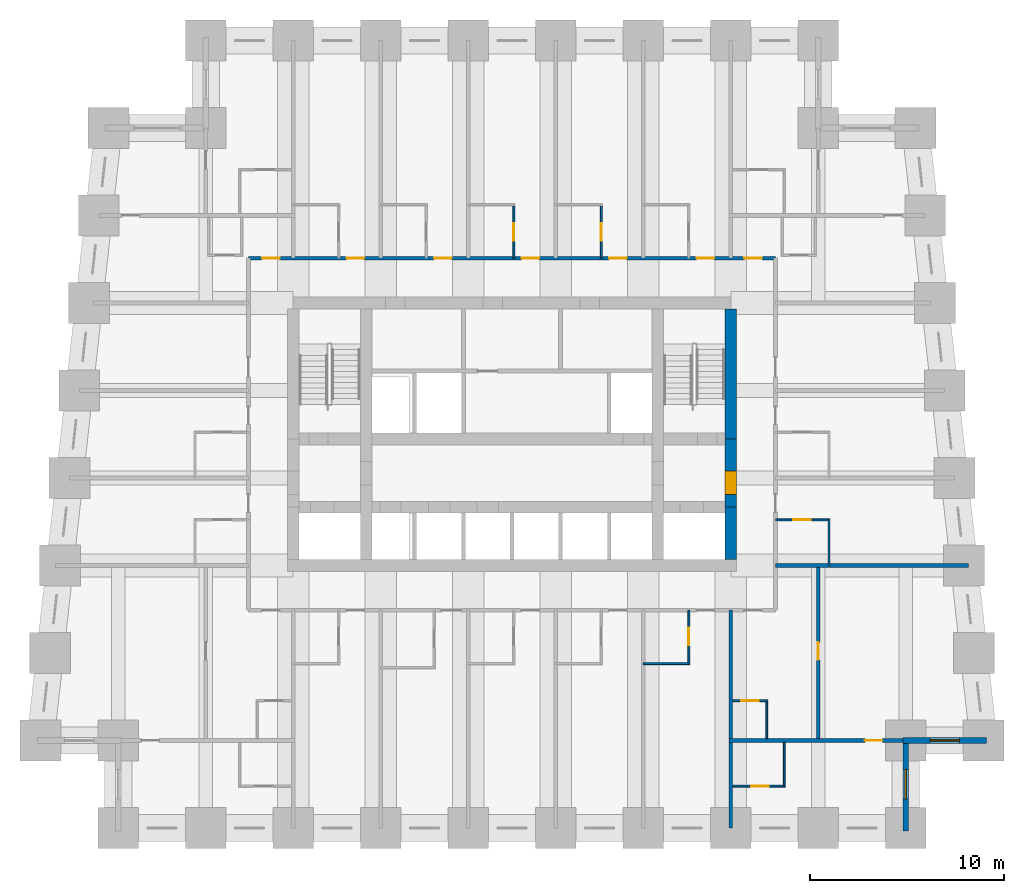
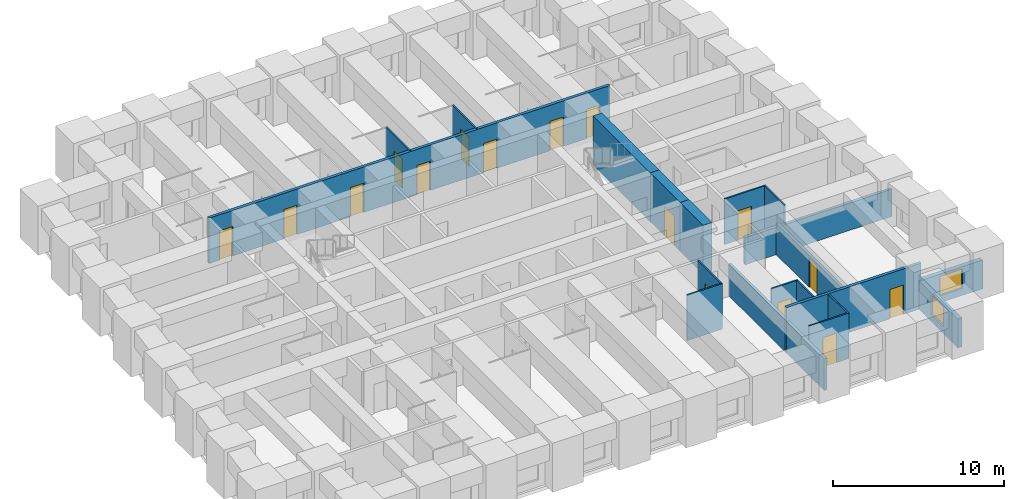
# One storey, part 5 of 8: 20 walls, 16 doors, 2 windows, 18 openings.
"""IFC4 building model written with IfcOpenShell, lengths in metres."""

import ifcopenshell
import ifcopenshell.guid

model = None  # the IFC model being written
_history = None  # IfcOwnerHistory: only IFC2X3 demands one
_inside = {}  # id of a spatial element -> (the spatial element, [elements in it])
_under = {}  # id of a project, library or spatial element -> (it, [spatial elements below it])
_declared = {}  # id of a project -> (the project, [libraries it declares])
_typed = {}  # id of a type object -> (the type object, [elements of that type])
_made_of = {}  # id of a material, layer set ... -> (it, [elements and type objects made of it])


def new_model(schema):
    """Start an empty IFC model of exactly this schema.

    Asked for "IFC4X3", IfcOpenShell would pick the latest addendum, in which some entities
    have other attributes; the version numbers below select the first issue.
    IFC2X3 requires an IfcOwnerHistory on every rooted entity: one is made here for all.
    """
    global model, _history
    if schema == "IFC4X3":
        model = ifcopenshell.file(schema_version=(4, 3, 0, 0))
    else:
        model = ifcopenshell.file(schema=schema)
    _inside.clear()
    _under.clear()
    _declared.clear()
    _typed.clear()
    _made_of.clear()
    _history = None
    if model.schema == "IFC2X3":
        org = make("IfcOrganization", Name="unknown")
        user = make(
            "IfcPersonAndOrganization",
            ThePerson=make("IfcPerson", FamilyName="unknown"),
            TheOrganization=org,
        )
        app = make(
            "IfcApplication",
            ApplicationDeveloper=org,
            Version="unknown",
            ApplicationFullName="unknown",
            ApplicationIdentifier="unknown",
        )
        _history = make(
            "IfcOwnerHistory",
            OwningUser=user,
            OwningApplication=app,
            ChangeAction="ADDED",
            CreationDate=0,
        )
    return model


def make(cls, **values):
    """One entity of the class cls with the attributes given. An attribute that is None is left unset."""
    return model.create_entity(
        cls, **{name: value for name, value in values.items() if value is not None}
    )


def rooted(cls, **values):
    """An entity with a GlobalId (a new one), such as an element, a storey or a relation."""
    return make(cls, GlobalId=ifcopenshell.guid.new(), OwnerHistory=_history, **values)


def si_unit(unit_type, name, prefix=None):
    """IfcSIUnit, for example si_unit("LENGTHUNIT", "METRE", prefix="MILLI")."""
    return make("IfcSIUnit", UnitType=unit_type, Prefix=prefix, Name=name)


def assignment(units):
    """IfcUnitAssignment: the units of a project."""
    return None if units is None else make("IfcUnitAssignment", Units=units)


def point(xyz):
    """IfcCartesianPoint."""
    return None if xyz is None else make("IfcCartesianPoint", Coordinates=xyz)


def direction(xyz):
    """IfcDirection."""
    return None if xyz is None else make("IfcDirection", DirectionRatios=xyz)


def frame(location, z_axis=None, x_axis=None):
    """IfcAxis2Placement3D, a coordinate frame: its origin and axes. An axis left out is left unset."""
    return make(
        "IfcAxis2Placement3D",
        Location=point(location),
        Axis=direction(z_axis),
        RefDirection=direction(x_axis),
    )


def frame_2d(location, x_axis=None):
    """IfcAxis2Placement2D, a coordinate frame in the plane: its origin and x axis."""
    return make(
        "IfcAxis2Placement2D", Location=point(location), RefDirection=direction(x_axis)
    )


def origin():
    """The frame at (0, 0, 0) with its axes left unset."""
    return frame((0.0, 0.0, 0.0))


def place(relative_to, where):
    """IfcLocalPlacement: puts the frame where relative to a parent placement (None: the world)."""
    return make(
        "IfcLocalPlacement", PlacementRelTo=relative_to, RelativePlacement=where
    )


def context(
    kind, dimensions, precision=None, world=None, true_north=None, identifier=None
):
    """IfcGeometricRepresentationContext, for example the 3D "Model" context."""
    return make(
        "IfcGeometricRepresentationContext",
        ContextIdentifier=identifier,
        ContextType=kind,
        CoordinateSpaceDimension=dimensions,
        Precision=precision,
        WorldCoordinateSystem=world,
        TrueNorth=true_north,
    )


def subcontext(parent, identifier, kind, view, scale=None):
    """IfcGeometricRepresentationSubContext, for example "Body" below "Model"."""
    return make(
        "IfcGeometricRepresentationSubContext",
        ContextIdentifier=identifier,
        ContextType=kind,
        ParentContext=parent,
        TargetScale=scale,
        TargetView=view,
    )


def project(units=None, contexts=None):
    """IfcProject with its units and contexts."""
    return rooted(
        "IfcProject",
        Name="project",
        RepresentationContexts=contexts,
        UnitsInContext=assignment(units),
    )


def spatial(cls, under=None, at=None, **own):
    """A site, building, storey or space (cls), placed at a placement, below another one or the project."""
    s = rooted(cls, ObjectPlacement=at, **own)
    if under is not None:
        _under.setdefault(under.id(), (under, []))[1].append(s)
    return s


def profile(cls, at=None, kind="AREA", **sizes):
    """A parametric profile (cls). Its sizes go by their IFC names, for example OverallWidth=200.0."""
    return make(cls, ProfileType=kind, Position=at, **sizes)


def rectangle(**sizes):
    """IfcRectangleProfileDef."""
    return profile("IfcRectangleProfileDef", **sizes)


def extrude(swept, where, along, depth):
    """IfcExtrudedAreaSolid: the profile swept, set in the frame where, extruded along a direction by depth."""
    return make(
        "IfcExtrudedAreaSolid",
        SweptArea=swept,
        Position=where,
        ExtrudedDirection=direction(along),
        Depth=depth,
    )


def shape(context_of_items, identifier, shape_type, items):
    """IfcShapeRepresentation: the items that make up one representation, for example the "Body"."""
    return make(
        "IfcShapeRepresentation",
        ContextOfItems=context_of_items,
        RepresentationIdentifier=identifier,
        RepresentationType=shape_type,
        Items=items,
    )


def material(Name=None, Category=None):
    """IfcMaterial."""
    return make("IfcMaterial", Name=Name, Category=Category)


def layer(
    of_material, thickness, ventilated=None, Name=None, Category=None, Priority=None
):
    """IfcMaterialLayer: one layer of a wall or slab, of a material (None: an air gap)."""
    return make(
        "IfcMaterialLayer",
        Material=of_material,
        LayerThickness=thickness,
        IsVentilated=ventilated,
        Name=Name,
        Category=Category,
        Priority=Priority,
    )


def layer_set(layers, Name=None):
    """IfcMaterialLayerSet."""
    return make("IfcMaterialLayerSet", MaterialLayers=layers, LayerSetName=Name)


def made_of(thing, what):
    """Note that an element or type object is made of a material, layer set ...; save() writes the relation."""
    if what is not None:
        _made_of.setdefault(what.id(), (what, []))[1].append(thing)
    return thing


def type_object(cls, material=None, **own):
    """A type object (cls), such as IfcWallType, which elements share."""
    return made_of(rooted(cls, **own), material)


def element(
    cls,
    number,
    at=None,
    inside=None,
    cuts=None,
    type_object=None,
    material=None,
    context=None,
    identifier="Body",
    shape_type=None,
    held_by="IfcProductDefinitionShape",
    body=None,
    shapes=None,
    **own,
):
    """One element of the class cls, such as IfcWall. Its Tag is "e" and its number.

    at: its placement. inside: the storey or other place that contains it. cuts: it is an
    opening in that element (IfcRelVoidsElement). A single representation is given by context,
    identifier, shape_type and body (its items); several are given by shapes. held_by: the class
    of the entity that holds the representations. save() writes the other relations.
    """
    e = rooted(cls, Tag="e%d" % number, ObjectPlacement=at, **own)
    if body is not None:
        shapes = [shape(context, identifier, shape_type, body)]
    if shapes is not None:
        e.Representation = make(held_by, Representations=shapes)
    if inside is not None:
        _inside.setdefault(inside.id(), (inside, []))[1].append(e)
    if cuts is not None:
        rooted(
            "IfcRelVoidsElement", RelatingBuildingElement=cuts, RelatedOpeningElement=e
        )
    if type_object is not None:
        _typed.setdefault(type_object.id(), (type_object, []))[1].append(e)
    return made_of(e, material)


def fill(opening, filler):
    """IfcRelFillsElement: the door or window that sits in an opening."""
    return rooted(
        "IfcRelFillsElement",
        RelatingOpeningElement=opening,
        RelatedBuildingElement=filler,
    )


def aggregate(whole, parts):
    """IfcRelAggregates: a whole, such as a stair, and the parts it consists of."""
    return rooted("IfcRelAggregates", RelatingObject=whole, RelatedObjects=parts)


def save(model, path):
    """Write the relations noted so far, then the file.

    IfcRelAggregates (storeys below a building ...), IfcRelContainedInSpatialStructure (elements
    in a storey), IfcRelDefinesByType, IfcRelAssociatesMaterial and IfcRelDeclares: one each for
    every whole, place, type object, material and project.
    """
    for whole, parts in _under.values():
        aggregate(whole, parts)
    for where, things in _inside.values():
        rooted(
            "IfcRelContainedInSpatialStructure",
            RelatedElements=things,
            RelatingStructure=where,
        )
    for kind, things in _typed.values():
        rooted("IfcRelDefinesByType", RelatedObjects=things, RelatingType=kind)
    for what, things in _made_of.values():
        rooted("IfcRelAssociatesMaterial", RelatedObjects=things, RelatingMaterial=what)
    for by, libraries in _declared.values():
        rooted("IfcRelDeclares", RelatingContext=by, RelatedDefinitions=libraries)
    model.write(path)


model = new_model("IFC4")

# Units and contexts
model_context = context("Model", 3, precision=1e-05, world=origin(), true_north=direction((0.0, 1.0)))
body_context = subcontext(model_context, "Body", "Model", "MODEL_VIEW")
ifc_project = project(units=[si_unit("LENGTHUNIT", "METRE"), si_unit("AREAUNIT", "SQUARE_METRE"), si_unit("VOLUMEUNIT", "CUBIC_METRE"), si_unit("PLANEANGLEUNIT", "RADIAN"), si_unit("MASSUNIT", "GRAM", prefix="KILO")], contexts=[model_context])

# Site, building, storey
site_placement = place(None, origin())
site = spatial("IfcSite", under=ifc_project, at=site_placement, CompositionType="ELEMENT")
building_placement = place(site_placement, origin())
building = spatial("IfcBuilding", under=site, at=building_placement, Name="Kilele Tower Hotel", CompositionType="ELEMENT")
storey_placement = place(building_placement, frame((0.0, 0.0, 36.699951171875)))
storey = spatial("IfcBuildingStorey", under=building, at=storey_placement, Name="L07", CompositionType="ELEMENT", Elevation=36.699951171875)

# Wall
ifc_material_1 = material(Name="Moisture-resistant board")
ifc_layer_1 = layer(ifc_material_1, 0.10009765625)
ifc_layer_set_1 = layer_set([ifc_layer_1], Name="Moisture-resistant board")
wall_type_1 = type_object("IfcWallType", Name="Bathroom partition 100", PredefinedType="PLUMBINGWALL", material=ifc_layer_set_1)
wall_1_placement = place(storey_placement, frame((31.5, 8.449951171875, 0.0), z_axis=(0.0, 0.0, 1.0), x_axis=(1.0, 0.0, 0.0)))
element("IfcWall", 1, at=wall_1_placement, inside=storey, type_object=wall_type_1, Name="Bathroom partition 100 L07", PredefinedType="PLUMBINGWALL", context=body_context, shape_type="SweptSolid", body=[
    extrude(rectangle(XDim=2.39990234375, YDim=0.10009765625, at=frame_2d((1.199951171875, 0.0))), origin(), (0.0, 0.0, 1.0), 3.25),
])

# Wall, opening, door
wall_2_placement = place(storey_placement, frame((33.85009765625, 11.199951171875, 0.0), z_axis=(0.0, 0.0, 1.0), x_axis=(0.0, -1.0, 0.0)))
wall_2 = element("IfcWall", 2, at=wall_2_placement, inside=storey, type_object=wall_type_1, Name="Bathroom partition 100 L07", PredefinedType="PLUMBINGWALL", context=body_context, shape_type="SweptSolid", body=[
    extrude(rectangle(XDim=2.800048828125, YDim=0.10009765625, at=frame_2d((1.39990234375, 0.0))), origin(), (0.0, 0.0, 1.0), 3.25),
])
opening_1_placement = place(wall_2_placement, frame((0.89990234375, 0.0, 0.0)))
opening_1 = element("IfcOpeningElement", 3, at=opening_1_placement, cuts=wall_2, Name="Opening D2A", PredefinedType="OPENING", context=body_context, shape_type="SweptSolid", body=[
    extrude(rectangle(XDim=0.89990234375, YDim=2.10009765625, at=frame_2d((0.449951171875, 1.050048828125))), frame((0.0, 0.06005859375, 0.0), z_axis=(0.0, -1.0, 0.0), x_axis=(1.0, 0.0, 0.0)), (0.0, 0.0, 1.0), 0.1201171875),
])
ifc_material_2 = material(Name="Timber door leaf in hardwood frame", Category="wood")
door_type_1 = type_object("IfcDoorType", Name="Bathroom door 900", OperationType="SINGLE_SWING_LEFT", PredefinedType="DOOR", material=ifc_material_2)
door_1_placement = place(opening_1_placement, origin())
door_1 = element("IfcDoor", 4, at=door_1_placement, inside=storey, type_object=door_type_1, Name="Bathroom door 0705B", OperationType="SINGLE_SWING_LEFT", OverallHeight=2.10009765625, OverallWidth=0.89990234375, PredefinedType="DOOR", context=body_context, shape_type="SweptSolid", body=[
    extrude(rectangle(XDim=0.89990234375, YDim=2.10009765625, at=frame_2d((0.449951171875, 1.050048828125))), frame((0.0, 0.02490234375, 0.0), z_axis=(0.0, -1.0, 0.0), x_axis=(1.0, 0.0, 0.0)), (0.0, 0.0, 1.0), 0.050048828125),
])
fill(opening_1, door_1)

# Wall
wall_3_placement = place(storey_placement, frame((41.050048828125, 13.5, 0.0), z_axis=(0.0, 0.0, 1.0), x_axis=(0.0, 1.0, 0.0)))
element("IfcWall", 5, at=wall_3_placement, inside=storey, type_object=wall_type_1, Name="Bathroom partition 100 L07", PredefinedType="PLUMBINGWALL", context=body_context, shape_type="SweptSolid", body=[
    extrude(rectangle(XDim=2.39990234375, YDim=0.10009765625, at=frame_2d((1.199951171875, 0.0))), origin(), (0.0, 0.0, 1.0), 3.25),
])

# Wall, opening, door
wall_4_placement = place(storey_placement, frame((38.300048828125, 15.85009765625, 0.0), z_axis=(0.0, 0.0, 1.0), x_axis=(1.0, 0.0, 0.0)))
wall_4 = element("IfcWall", 6, at=wall_4_placement, inside=storey, type_object=wall_type_1, Name="Bathroom partition 100 L07", PredefinedType="PLUMBINGWALL", context=body_context, shape_type="SweptSolid", body=[
    extrude(rectangle(XDim=2.800048828125, YDim=0.10009765625, at=frame_2d((1.39990234375, 0.0))), origin(), (0.0, 0.0, 1.0), 3.25),
])
opening_2_placement = place(wall_4_placement, frame((0.89990234375, 0.0, 0.0)))
opening_2 = element("IfcOpeningElement", 7, at=opening_2_placement, cuts=wall_4, Name="Opening D2A", PredefinedType="OPENING", context=body_context, shape_type="SweptSolid", body=[
    extrude(rectangle(XDim=0.89990234375, YDim=2.10009765625, at=frame_2d((0.449951171875, 1.050048828125))), frame((0.0, 0.06005859375, 0.0), z_axis=(0.0, -1.0, 0.0), x_axis=(1.0, 0.0, 0.0)), (0.0, 0.0, 1.0), 0.1201171875),
])
door_2_placement = place(opening_2_placement, origin())
door_2 = element("IfcDoor", 8, at=door_2_placement, inside=storey, type_object=door_type_1, Name="Bathroom door 0706B", OperationType="SINGLE_SWING_LEFT", OverallHeight=2.10009765625, OverallWidth=0.89990234375, PredefinedType="DOOR", context=body_context, shape_type="SweptSolid", body=[
    extrude(rectangle(XDim=0.89990234375, YDim=2.10009765625, at=frame_2d((0.449951171875, 1.050048828125))), frame((0.0, 0.02490234375, 0.0), z_axis=(0.0, -1.0, 0.0), x_axis=(1.0, 0.0, 0.0)), (0.0, 0.0, 1.0), 0.050048828125),
])
fill(opening_2, door_2)

wall_5_placement = place(storey_placement, frame((24.85009765625, 29.300048828125, 0.0), z_axis=(0.0, 0.0, 1.0), x_axis=(0.0, 1.0, 0.0)))
wall_5 = element("IfcWall", 9, at=wall_5_placement, inside=storey, type_object=wall_type_1, Name="Bathroom partition 100 L07", PredefinedType="PLUMBINGWALL", context=body_context, shape_type="SweptSolid", body=[
    extrude(rectangle(XDim=2.800048828125, YDim=0.10009765625, at=frame_2d((1.39990234375, 0.0))), origin(), (0.0, 0.0, 1.0), 3.25),
])
opening_3_placement = place(wall_5_placement, frame((1.7998046875, 0.0, 0.0), z_axis=(0.0, 0.0, 1.0), x_axis=(-1.0, 0.0, 0.0)))
opening_3 = element("IfcOpeningElement", 10, at=opening_3_placement, cuts=wall_5, Name="Opening D2A", PredefinedType="OPENING", context=body_context, shape_type="SweptSolid", body=[
    extrude(rectangle(XDim=0.89990234375, YDim=2.10009765625, at=frame_2d((0.449951171875, 1.050048828125))), frame((0.0, 0.06005859375, 0.0), z_axis=(0.0, -1.0, 0.0), x_axis=(1.0, 0.0, 0.0)), (0.0, 0.0, 1.0), 0.1201171875),
])
door_3_placement = place(opening_3_placement, origin())
door_3 = element("IfcDoor", 11, at=door_3_placement, inside=storey, type_object=door_type_1, Name="Bathroom door 0711B", OperationType="SINGLE_SWING_RIGHT", OverallHeight=2.10009765625, OverallWidth=0.89990234375, PredefinedType="DOOR", context=body_context, shape_type="SweptSolid", body=[
    extrude(rectangle(XDim=0.89990234375, YDim=2.10009765625, at=frame_2d((0.449951171875, 1.050048828125))), frame((0.0, 0.02490234375, 0.0), z_axis=(0.0, -1.0, 0.0), x_axis=(1.0, 0.0, 0.0)), (0.0, 0.0, 1.0), 0.050048828125),
])
fill(opening_3, door_3)

wall_6_placement = place(storey_placement, frame((29.35009765625, 29.300048828125, 0.0), z_axis=(0.0, 0.0, 1.0), x_axis=(0.0, 1.0, 0.0)))
wall_6 = element("IfcWall", 12, at=wall_6_placement, inside=storey, type_object=wall_type_1, Name="Bathroom partition 100 L07", PredefinedType="PLUMBINGWALL", context=body_context, shape_type="SweptSolid", body=[
    extrude(rectangle(XDim=2.800048828125, YDim=0.10009765625, at=frame_2d((1.39990234375, 0.0))), origin(), (0.0, 0.0, 1.0), 3.25),
])
opening_4_placement = place(wall_6_placement, frame((1.7998046875, 0.0, 0.0), z_axis=(0.0, 0.0, 1.0), x_axis=(-1.0, 0.0, 0.0)))
opening_4 = element("IfcOpeningElement", 13, at=opening_4_placement, cuts=wall_6, Name="Opening D2A", PredefinedType="OPENING", context=body_context, shape_type="SweptSolid", body=[
    extrude(rectangle(XDim=0.89990234375, YDim=2.10009765625, at=frame_2d((0.449951171875, 1.050048828125))), frame((0.0, 0.06005859375, 0.0), z_axis=(0.0, -1.0, 0.0), x_axis=(1.0, 0.0, 0.0)), (0.0, 0.0, 1.0), 0.1201171875),
])
door_4_placement = place(opening_4_placement, origin())
door_4 = element("IfcDoor", 14, at=door_4_placement, inside=storey, type_object=door_type_1, Name="Bathroom door 0712B", OperationType="SINGLE_SWING_RIGHT", OverallHeight=2.10009765625, OverallWidth=0.89990234375, PredefinedType="DOOR", context=body_context, shape_type="SweptSolid", body=[
    extrude(rectangle(XDim=0.89990234375, YDim=2.10009765625, at=frame_2d((0.449951171875, 1.050048828125))), frame((0.0, 0.02490234375, 0.0), z_axis=(0.0, -1.0, 0.0), x_axis=(1.0, 0.0, 0.0)), (0.0, 0.0, 1.0), 0.050048828125),
])
fill(opening_4, door_4)

# Wall
wall_7_placement = place(storey_placement, frame((37.85009765625, 4.60009765625, 0.0), z_axis=(0.0, 0.0, 1.0), x_axis=(0.0, 1.0, 0.0)))
element("IfcWall", 15, at=wall_7_placement, inside=storey, type_object=wall_type_1, Name="Bathroom partition 100 L07", PredefinedType="PLUMBINGWALL", context=body_context, shape_type="SweptSolid", body=[
    extrude(rectangle(XDim=2.0, YDim=0.10009765625, at=frame_2d((1.0, 0.0))), origin(), (0.0, 0.0, 1.0), 3.25),
])

# Wall, opening, door
wall_8_placement = place(storey_placement, frame((36.10009765625, 6.550048828125, 0.0), z_axis=(0.0, 0.0, 1.0), x_axis=(1.0, 0.0, 0.0)))
wall_8 = element("IfcWall", 16, at=wall_8_placement, inside=storey, type_object=wall_type_1, Name="Bathroom partition 100 L07", PredefinedType="PLUMBINGWALL", context=body_context, shape_type="SweptSolid", body=[
    extrude(rectangle(XDim=1.7998046875, YDim=0.10009765625, at=frame_2d((0.89990234375, 0.0))), origin(), (0.0, 0.0, 1.0), 3.25),
])
opening_5_placement = place(wall_8_placement, frame((0.449951171875, 0.0, 0.0)))
opening_5 = element("IfcOpeningElement", 17, at=opening_5_placement, cuts=wall_8, Name="Opening D2A", PredefinedType="OPENING", context=body_context, shape_type="SweptSolid", body=[
    extrude(rectangle(XDim=0.89990234375, YDim=2.10009765625, at=frame_2d((0.449951171875, 1.050048828125))), frame((0.0, 0.06005859375, 0.0), z_axis=(0.0, -1.0, 0.0), x_axis=(1.0, 0.0, 0.0)), (0.0, 0.0, 1.0), 0.1201171875),
])
door_5_placement = place(opening_5_placement, origin())
door_5 = element("IfcDoor", 18, at=door_5_placement, inside=storey, type_object=door_type_1, Name="Bathroom door 0720P", OperationType="SINGLE_SWING_LEFT", OverallHeight=2.10009765625, OverallWidth=0.89990234375, PredefinedType="DOOR", context=body_context, shape_type="SweptSolid", body=[
    extrude(rectangle(XDim=0.89990234375, YDim=2.10009765625, at=frame_2d((0.449951171875, 1.050048828125))), frame((0.0, 0.02490234375, 0.0), z_axis=(0.0, -1.0, 0.0), x_axis=(1.0, 0.0, 0.0)), (0.0, 0.0, 1.0), 0.050048828125),
])
fill(opening_5, door_5)

# Wall
wall_9_placement = place(storey_placement, frame((38.75, 4.39990234375, 0.0), z_axis=(0.0, 0.0, 1.0), x_axis=(0.0, -1.0, 0.0)))
element("IfcWall", 19, at=wall_9_placement, inside=storey, type_object=wall_type_1, Name="Bathroom partition 100 L07", PredefinedType="PLUMBINGWALL", context=body_context, shape_type="SweptSolid", body=[
    extrude(rectangle(XDim=2.2998046875, YDim=0.10009765625, at=frame_2d((1.14990234375, 0.0))), origin(), (0.0, 0.0, 1.0), 3.25),
])

# Wall, opening, door
wall_10_placement = place(storey_placement, frame((36.10009765625, 2.14990234375, 0.0), z_axis=(0.0, 0.0, 1.0), x_axis=(1.0, 0.0, 0.0)))
wall_10 = element("IfcWall", 20, at=wall_10_placement, inside=storey, type_object=wall_type_1, Name="Bathroom partition 100 L07", PredefinedType="PLUMBINGWALL", context=body_context, shape_type="SweptSolid", body=[
    extrude(rectangle(XDim=2.699951171875, YDim=0.10009765625, at=frame_2d((1.35009765625, 0.0))), origin(), (0.0, 0.0, 1.0), 3.25),
])
opening_6_placement = place(wall_10_placement, frame((1.849853515625, 0.0, 0.0), z_axis=(0.0, 0.0, 1.0), x_axis=(-1.0, 0.0, 0.0)))
opening_6 = element("IfcOpeningElement", 21, at=opening_6_placement, cuts=wall_10, Name="Opening D2A", PredefinedType="OPENING", context=body_context, shape_type="SweptSolid", body=[
    extrude(rectangle(XDim=0.89990234375, YDim=2.10009765625, at=frame_2d((0.449951171875, 1.050048828125))), frame((0.0, 0.06005859375, 0.0), z_axis=(0.0, -1.0, 0.0), x_axis=(1.0, 0.0, 0.0)), (0.0, 0.0, 1.0), 0.1201171875),
])
door_6_placement = place(opening_6_placement, origin())
door_6 = element("IfcDoor", 22, at=door_6_placement, inside=storey, type_object=door_type_1, Name="Bathroom door 0722B", OperationType="SINGLE_SWING_RIGHT", OverallHeight=2.10009765625, OverallWidth=0.89990234375, PredefinedType="DOOR", context=body_context, shape_type="SweptSolid", body=[
    extrude(rectangle(XDim=0.89990234375, YDim=2.10009765625, at=frame_2d((0.449951171875, 1.050048828125))), frame((0.0, 0.02490234375, 0.0), z_axis=(0.0, -1.0, 0.0), x_axis=(1.0, 0.0, 0.0)), (0.0, 0.0, 1.0), 0.050048828125),
])
fill(opening_6, door_6)

# Wall
ifc_material_3 = material(Name="Concrete C60/75", Category="concrete")
ifc_layer_2 = layer(ifc_material_3, 0.60009765625)
ifc_layer_set_2 = layer_set([ifc_layer_2], Name="Concrete C60/75")
wall_type_2 = type_object("IfcWallType", Name="Core wall 600 C60/75", PredefinedType="SHEAR", material=ifc_layer_set_2)
wall_11_placement = place(storey_placement, frame((36.0, 13.800048828125, 0.0), z_axis=(0.0, 0.0, 1.0), x_axis=(0.0, 1.0, 0.0)))
element("IfcWall", 23, at=wall_11_placement, inside=storey, type_object=wall_type_2, Name="Core wall E1 L07", PredefinedType="SHEAR", context=body_context, shape_type="SweptSolid", body=[
    extrude(rectangle(XDim=2.699951171875, YDim=0.60009765625, at=frame_2d((1.35009765625, 0.0))), origin(), (0.0, 0.0, 1.0), 3.5),
])

# Wall, opening, door
wall_12_placement = place(storey_placement, frame((36.0, 16.5, 0.0), z_axis=(0.0, 0.0, 1.0), x_axis=(0.0, 1.0, 0.0)))
wall_12 = element("IfcWall", 24, at=wall_12_placement, inside=storey, type_object=wall_type_2, Name="Core wall E2 L07", PredefinedType="SHEAR", context=body_context, shape_type="SweptSolid", body=[
    extrude(rectangle(XDim=3.5, YDim=0.60009765625, at=frame_2d((1.75, 0.0))), origin(), (0.0, 0.0, 1.0), 3.5),
])
opening_7_placement = place(wall_12_placement, frame((0.64990234375, 0.0, 0.0)))
opening_7 = element("IfcOpeningElement", 25, at=opening_7_placement, cuts=wall_12, Name="Opening D4", PredefinedType="OPENING", context=body_context, shape_type="SweptSolid", body=[
    extrude(rectangle(XDim=1.199951171875, YDim=2.10009765625, at=frame_2d((0.60009765625, 1.050048828125))), frame((0.0, 0.31005859375, 0.0), z_axis=(0.0, -1.0, 0.0), x_axis=(1.0, 0.0, 0.0)), (0.0, 0.0, 1.0), 0.6201171875),
])
ifc_material_4 = material(Name="Timber door leaf in hardwood frame", Category="wood")
door_type_2 = type_object("IfcDoorType", Name="Firefighting lobby door 1200", OperationType="SINGLE_SWING_LEFT", PredefinedType="DOOR", material=ifc_material_4)
door_7_placement = place(opening_7_placement, origin())
door_7 = element("IfcDoor", 26, at=door_7_placement, inside=storey, type_object=door_type_2, Name="Lobby door L07", OperationType="SINGLE_SWING_LEFT", OverallHeight=2.10009765625, OverallWidth=1.199951171875, PredefinedType="DOOR", context=body_context, shape_type="SweptSolid", body=[
    extrude(rectangle(XDim=1.199951171875, YDim=2.10009765625, at=frame_2d((0.60009765625, 1.050048828125))), frame((0.0, 0.2998046875, 0.0), z_axis=(0.0, -1.0, 0.0), x_axis=(1.0, 0.0, 0.0)), (0.0, 0.0, 1.0), 0.599609375),
])
fill(opening_7, door_7)

# Wall
wall_13_placement = place(storey_placement, frame((36.0, 20.0, 0.0), z_axis=(0.0, 0.0, 1.0), x_axis=(0.0, 1.0, 0.0)))
element("IfcWall", 27, at=wall_13_placement, inside=storey, type_object=wall_type_2, Name="Core wall E3 L07", PredefinedType="SHEAR", context=body_context, shape_type="SweptSolid", body=[
    extrude(rectangle(XDim=6.699951171875, YDim=0.60009765625, at=frame_2d((3.35009765625, 0.0))), origin(), (0.0, 0.0, 1.0), 3.5),
])

# Wall, openings, doors
ifc_material_5 = material(Name="Blockwork, plastered both sides", Category="masonry")
ifc_layer_3 = layer(ifc_material_5, 0.199951171875)
ifc_layer_set_3 = layer_set([ifc_layer_3], Name="Blockwork, plastered both sides")
wall_type_3 = type_object("IfcWallType", Name="Corridor wall 200", PredefinedType="PARTITIONING", material=ifc_layer_set_3)
wall_14_placement = place(storey_placement, frame((11.199951171875, 29.300048828125, 0.0), z_axis=(0.0, 0.0, 1.0), x_axis=(1.0, 0.0, 0.0)))
wall_14 = element("IfcWall", 28, at=wall_14_placement, inside=storey, type_object=wall_type_3, Name="Corridor wall 200 L07", PredefinedType="PARTITIONING", context=body_context, shape_type="SweptSolid", body=[
    extrude(rectangle(XDim=27.10009765625, YDim=0.199951171875, at=frame_2d((13.550048828125, 0.0))), origin(), (0.0, 0.0, 1.0), 3.25),
])
opening_8_placement = place(wall_14_placement, frame((5.050048828125, 0.0, 0.0)))
opening_8 = element("IfcOpeningElement", 29, at=opening_8_placement, cuts=wall_14, Name="Opening D1", PredefinedType="OPENING", context=body_context, shape_type="SweptSolid", body=[
    extrude(rectangle(XDim=0.89990234375, YDim=2.10009765625, at=frame_2d((0.449951171875, 1.050048828125))), frame((0.0, 0.10986328125, 0.0), z_axis=(0.0, -1.0, 0.0), x_axis=(1.0, 0.0, 0.0)), (0.0, 0.0, 1.0), 0.219970703125),
])
opening_9_placement = place(wall_14_placement, frame((9.550048828125, 0.0, 0.0)))
opening_9 = element("IfcOpeningElement", 30, at=opening_9_placement, cuts=wall_14, Name="Opening D1", PredefinedType="OPENING", context=body_context, shape_type="SweptSolid", body=[
    extrude(rectangle(XDim=0.89990234375, YDim=2.10009765625, at=frame_2d((0.449951171875, 1.050048828125))), frame((0.0, 0.10986328125, 0.0), z_axis=(0.0, -1.0, 0.0), x_axis=(1.0, 0.0, 0.0)), (0.0, 0.0, 1.0), 0.219970703125),
])
opening_10_placement = place(wall_14_placement, frame((14.050048828125, 0.0, 0.0)))
opening_10 = element("IfcOpeningElement", 31, at=opening_10_placement, cuts=wall_14, Name="Opening D1", PredefinedType="OPENING", context=body_context, shape_type="SweptSolid", body=[
    extrude(rectangle(XDim=0.89990234375, YDim=2.10009765625, at=frame_2d((0.449951171875, 1.050048828125))), frame((0.0, 0.10986328125, 0.0), z_axis=(0.0, -1.0, 0.0), x_axis=(1.0, 0.0, 0.0)), (0.0, 0.0, 1.0), 0.219970703125),
])
opening_11_placement = place(wall_14_placement, frame((18.550048828125, 0.0, 0.0)))
opening_11 = element("IfcOpeningElement", 32, at=opening_11_placement, cuts=wall_14, Name="Opening D1", PredefinedType="OPENING", context=body_context, shape_type="SweptSolid", body=[
    extrude(rectangle(XDim=0.89990234375, YDim=2.10009765625, at=frame_2d((0.449951171875, 1.050048828125))), frame((0.0, 0.10986328125, 0.0), z_axis=(0.0, -1.0, 0.0), x_axis=(1.0, 0.0, 0.0)), (0.0, 0.0, 1.0), 0.219970703125),
])
opening_12_placement = place(wall_14_placement, frame((23.050048828125, 0.0, 0.0)))
opening_12 = element("IfcOpeningElement", 33, at=opening_12_placement, cuts=wall_14, Name="Opening D1", PredefinedType="OPENING", context=body_context, shape_type="SweptSolid", body=[
    extrude(rectangle(XDim=0.89990234375, YDim=2.10009765625, at=frame_2d((0.449951171875, 1.050048828125))), frame((0.0, 0.10986328125, 0.0), z_axis=(0.0, -1.0, 0.0), x_axis=(1.0, 0.0, 0.0)), (0.0, 0.0, 1.0), 0.219970703125),
])
opening_13_placement = place(wall_14_placement, frame((25.5, 0.0, 0.0)))
opening_13 = element("IfcOpeningElement", 34, at=opening_13_placement, cuts=wall_14, Name="Opening D1", PredefinedType="OPENING", context=body_context, shape_type="SweptSolid", body=[
    extrude(rectangle(XDim=0.89990234375, YDim=2.10009765625, at=frame_2d((0.449951171875, 1.050048828125))), frame((0.0, 0.10986328125, 0.0), z_axis=(0.0, -1.0, 0.0), x_axis=(1.0, 0.0, 0.0)), (0.0, 0.0, 1.0), 0.219970703125),
])
opening_14_placement = place(wall_14_placement, frame((0.699951171875, 0.0, 0.0)))
opening_14 = element("IfcOpeningElement", 35, at=opening_14_placement, cuts=wall_14, Name="Opening D1", PredefinedType="OPENING", context=body_context, shape_type="SweptSolid", body=[
    extrude(rectangle(XDim=0.89990234375, YDim=2.10009765625, at=frame_2d((0.449951171875, 1.050048828125))), frame((0.0, 0.10986328125, 0.0), z_axis=(0.0, -1.0, 0.0), x_axis=(1.0, 0.0, 0.0)), (0.0, 0.0, 1.0), 0.219970703125),
])
ifc_material_6 = material(Name="Timber door leaf in hardwood frame", Category="wood")
door_type_3 = type_object("IfcDoorType", Name="Guest room entrance door 900", OperationType="SINGLE_SWING_LEFT", PredefinedType="DOOR", material=ifc_material_6)
door_8_placement = place(opening_8_placement, origin())
door_8 = element("IfcDoor", 36, at=door_8_placement, inside=storey, type_object=door_type_3, Name="Room entrance 0709", OperationType="SINGLE_SWING_LEFT", OverallHeight=2.10009765625, OverallWidth=0.89990234375, PredefinedType="DOOR", context=body_context, shape_type="SweptSolid", body=[
    extrude(rectangle(XDim=0.89990234375, YDim=2.10009765625, at=frame_2d((0.449951171875, 1.050048828125))), frame((0.0, 0.02490234375, 0.0), z_axis=(0.0, -1.0, 0.0), x_axis=(1.0, 0.0, 0.0)), (0.0, 0.0, 1.0), 0.050048828125),
])
fill(opening_8, door_8)
door_9_placement = place(opening_9_placement, origin())
door_9 = element("IfcDoor", 37, at=door_9_placement, inside=storey, type_object=door_type_3, Name="Room entrance 0710", OperationType="SINGLE_SWING_LEFT", OverallHeight=2.10009765625, OverallWidth=0.89990234375, PredefinedType="DOOR", context=body_context, shape_type="SweptSolid", body=[
    extrude(rectangle(XDim=0.89990234375, YDim=2.10009765625, at=frame_2d((0.449951171875, 1.050048828125))), frame((0.0, 0.02490234375, 0.0), z_axis=(0.0, -1.0, 0.0), x_axis=(1.0, 0.0, 0.0)), (0.0, 0.0, 1.0), 0.050048828125),
])
fill(opening_9, door_9)
door_10_placement = place(opening_10_placement, origin())
door_10 = element("IfcDoor", 38, at=door_10_placement, inside=storey, type_object=door_type_3, Name="Room entrance 0711", OperationType="SINGLE_SWING_LEFT", OverallHeight=2.10009765625, OverallWidth=0.89990234375, PredefinedType="DOOR", context=body_context, shape_type="SweptSolid", body=[
    extrude(rectangle(XDim=0.89990234375, YDim=2.10009765625, at=frame_2d((0.449951171875, 1.050048828125))), frame((0.0, 0.02490234375, 0.0), z_axis=(0.0, -1.0, 0.0), x_axis=(1.0, 0.0, 0.0)), (0.0, 0.0, 1.0), 0.050048828125),
])
fill(opening_10, door_10)
door_11_placement = place(opening_11_placement, origin())
door_11 = element("IfcDoor", 39, at=door_11_placement, inside=storey, type_object=door_type_3, Name="Room entrance 0712", OperationType="SINGLE_SWING_LEFT", OverallHeight=2.10009765625, OverallWidth=0.89990234375, PredefinedType="DOOR", context=body_context, shape_type="SweptSolid", body=[
    extrude(rectangle(XDim=0.89990234375, YDim=2.10009765625, at=frame_2d((0.449951171875, 1.050048828125))), frame((0.0, 0.02490234375, 0.0), z_axis=(0.0, -1.0, 0.0), x_axis=(1.0, 0.0, 0.0)), (0.0, 0.0, 1.0), 0.050048828125),
])
fill(opening_11, door_11)
door_12_placement = place(opening_12_placement, origin())
door_12 = element("IfcDoor", 40, at=door_12_placement, inside=storey, type_object=door_type_3, Name="Room entrance 0713", OperationType="SINGLE_SWING_LEFT", OverallHeight=2.10009765625, OverallWidth=0.89990234375, PredefinedType="DOOR", context=body_context, shape_type="SweptSolid", body=[
    extrude(rectangle(XDim=0.89990234375, YDim=2.10009765625, at=frame_2d((0.449951171875, 1.050048828125))), frame((0.0, 0.02490234375, 0.0), z_axis=(0.0, -1.0, 0.0), x_axis=(1.0, 0.0, 0.0)), (0.0, 0.0, 1.0), 0.050048828125),
])
fill(opening_12, door_12)
door_13_placement = place(opening_13_placement, origin())
door_13 = element("IfcDoor", 41, at=door_13_placement, inside=storey, type_object=door_type_3, Name="Room entrance 0723", OperationType="SINGLE_SWING_LEFT", OverallHeight=2.10009765625, OverallWidth=0.89990234375, PredefinedType="DOOR", context=body_context, shape_type="SweptSolid", body=[
    extrude(rectangle(XDim=0.89990234375, YDim=2.10009765625, at=frame_2d((0.449951171875, 1.050048828125))), frame((0.0, 0.02490234375, 0.0), z_axis=(0.0, -1.0, 0.0), x_axis=(1.0, 0.0, 0.0)), (0.0, 0.0, 1.0), 0.050048828125),
])
fill(opening_13, door_13)
door_14_placement = place(opening_14_placement, origin())
door_14 = element("IfcDoor", 42, at=door_14_placement, inside=storey, type_object=door_type_3, Name="Room entrance 0726", OperationType="SINGLE_SWING_RIGHT", OverallHeight=2.10009765625, OverallWidth=0.89990234375, PredefinedType="DOOR", context=body_context, shape_type="SweptSolid", body=[
    extrude(rectangle(XDim=0.89990234375, YDim=2.10009765625, at=frame_2d((0.449951171875, 1.050048828125))), frame((0.0, 0.02490234375, 0.0), z_axis=(0.0, -1.0, 0.0), x_axis=(1.0, 0.0, 0.0)), (0.0, 0.0, 1.0), 0.050048828125),
])
fill(opening_14, door_14)

# Wall, opening, door
ifc_material_7 = material(Name="Blockwork, plastered both sides", Category="masonry")
ifc_layer_4 = layer(ifc_material_7, 0.199951171875)
ifc_layer_set_4 = layer_set([ifc_layer_4], Name="Blockwork, plastered both sides")
wall_type_4 = type_object("IfcWallType", Name="Partition wall 200", PredefinedType="PARTITIONING", material=ifc_layer_set_4)
wall_15_placement = place(storey_placement, frame((40.5, 4.60009765625, 0.0), z_axis=(0.0, 0.0, 1.0), x_axis=(0.0, 1.0, 0.0)))
wall_15 = element("IfcWall", 43, at=wall_15_placement, inside=storey, type_object=wall_type_4, Name="Partition wall 200 L07", PredefinedType="PARTITIONING", context=body_context, shape_type="SweptSolid", body=[
    extrude(rectangle(XDim=8.7998046875, YDim=0.199951171875, at=frame_2d((4.39990234375, 0.0))), origin(), (0.0, 0.0, 1.0), 2.25),
])
opening_15_placement = place(wall_15_placement, frame((4.050048828125, 0.0, 0.0)))
opening_15 = element("IfcOpeningElement", 44, at=opening_15_placement, cuts=wall_15, Name="Opening D3", PredefinedType="OPENING", context=body_context, shape_type="SweptSolid", body=[
    extrude(rectangle(XDim=0.89990234375, YDim=2.10009765625, at=frame_2d((0.449951171875, 1.050048828125))), frame((0.0, 0.10986328125, 0.0), z_axis=(0.0, -1.0, 0.0), x_axis=(1.0, 0.0, 0.0)), (0.0, 0.0, 1.0), 0.219970703125),
])
ifc_material_8 = material(Name="Timber door leaf in hardwood frame", Category="wood")
door_type_4 = type_object("IfcDoorType", Name="Suite internal door 900", OperationType="SINGLE_SWING_LEFT", PredefinedType="DOOR", material=ifc_material_8)
door_15_placement = place(opening_15_placement, origin())
door_15 = element("IfcDoor", 45, at=door_15_placement, inside=storey, type_object=door_type_4, Name="Suite door 0721", OperationType="SINGLE_SWING_RIGHT", OverallHeight=2.10009765625, OverallWidth=0.89990234375, PredefinedType="DOOR", context=body_context, shape_type="SweptSolid", body=[
    extrude(rectangle(XDim=0.89990234375, YDim=2.10009765625, at=frame_2d((0.449951171875, 1.050048828125))), frame((0.0, 0.02490234375, 0.0), z_axis=(0.0, -1.0, 0.0), x_axis=(1.0, 0.0, 0.0)), (0.0, 0.0, 1.0), 0.050048828125),
])
fill(opening_15, door_15)

# Walls
ifc_material_9 = material(Name="Blockwork, plastered both sides", Category="masonry")
ifc_layer_5 = layer(ifc_material_9, 0.199951171875)
ifc_layer_set_5 = layer_set([ifc_layer_5], Name="Blockwork, plastered both sides")
wall_type_5 = type_object("IfcWallType", Name="Party wall 200", PredefinedType="PARTITIONING", material=ifc_layer_set_5)
wall_16_placement = place(storey_placement, frame((38.300048828125, 13.5, 0.0), z_axis=(0.0, 0.0, 1.0), x_axis=(1.0, 0.0, 0.0)))
element("IfcWall", 46, at=wall_16_placement, inside=storey, type_object=wall_type_5, Name="Party wall 200 L07", PredefinedType="PARTITIONING", context=body_context, shape_type="SweptSolid", body=[
    extrude(rectangle(XDim=9.921142578125, YDim=0.199951171875, at=frame_2d((4.96044921875, 0.0))), origin(), (0.0, 0.0, 1.0), 1.949951171875),
])
wall_17_placement = place(storey_placement, frame((36.0, 11.199951171875, 0.0), z_axis=(0.0, 0.0, 1.0), x_axis=(0.0, -1.0, 0.0)))
element("IfcWall", 47, at=wall_17_placement, inside=storey, type_object=wall_type_5, Name="Party wall 200 L07", PredefinedType="PARTITIONING", context=body_context, shape_type="SweptSolid", body=[
    extrude(rectangle(XDim=11.199951171875, YDim=0.199951171875, at=frame_2d((5.60009765625, 0.0))), origin(), (0.0, 0.0, 1.0), 2.25),
])

# Wall, opening, door
wall_18_placement = place(storey_placement, frame((35.89990234375, 4.5, 0.0), z_axis=(0.0, 0.0, 1.0), x_axis=(1.0, 0.0, 0.0)))
wall_18 = element("IfcWall", 48, at=wall_18_placement, inside=storey, type_object=wall_type_5, Name="Party wall 200 L07", PredefinedType="PARTITIONING", context=body_context, shape_type="SweptSolid", body=[
    extrude(rectangle(XDim=9.10009765625, YDim=0.199951171875, at=frame_2d((4.550048828125, 0.0))), origin(), (0.0, 0.0, 1.0), 3.25),
])
opening_16_placement = place(wall_18_placement, frame((7.0, 0.0, 0.0)))
opening_16 = element("IfcOpeningElement", 49, at=opening_16_placement, cuts=wall_18, Name="Opening D3", PredefinedType="OPENING", context=body_context, shape_type="SweptSolid", body=[
    extrude(rectangle(XDim=0.89990234375, YDim=2.10009765625, at=frame_2d((0.449951171875, 1.050048828125))), frame((0.0, 0.10986328125, 0.0), z_axis=(0.0, -1.0, 0.0), x_axis=(1.0, 0.0, 0.0)), (0.0, 0.0, 1.0), 0.219970703125),
])
door_16_placement = place(opening_16_placement, origin())
door_16 = element("IfcDoor", 50, at=door_16_placement, inside=storey, type_object=door_type_4, Name="Suite door 0722", OperationType="SINGLE_SWING_RIGHT", OverallHeight=2.10009765625, OverallWidth=0.89990234375, PredefinedType="DOOR", context=body_context, shape_type="SweptSolid", body=[
    extrude(rectangle(XDim=0.89990234375, YDim=2.10009765625, at=frame_2d((0.449951171875, 1.050048828125))), frame((0.0, 0.02490234375, 0.0), z_axis=(0.0, -1.0, 0.0), x_axis=(1.0, 0.0, 0.0)), (0.0, 0.0, 1.0), 0.050048828125),
])
fill(opening_16, door_16)

# Wall, opening, window
ifc_material_10 = material(Name="Concrete C40/50 precast", Category="concrete")
ifc_layer_6 = layer(ifc_material_10, 0.260009765625, Name="Precast backing", Category="LoadBearing")
ifc_material_11 = material(Name="Reconstituted stone finish", Category="masonry")
ifc_layer_7 = layer(ifc_material_11, 0.0400390625, Name="Face mix", Category="Finish")
ifc_layer_set_6 = layer_set([ifc_layer_6, ifc_layer_7], Name="Precast concrete C40/50, reconstituted stone finish")
wall_type_6 = type_object("IfcWallType", Name="Precast stone facade wall 300", PredefinedType="STANDARD", material=ifc_layer_set_6)
wall_19_placement = place(storey_placement, frame((45.0, -0.14990234375, 0.0), z_axis=(0.0, 0.0, 1.0), x_axis=(0.0, 1.0, 0.0)))
wall_19 = element("IfcWall", 51, at=wall_19_placement, inside=storey, type_object=wall_type_6, Name="Facade wall L07 edge 4", PredefinedType="STANDARD", context=body_context, shape_type="SweptSolid", body=[
    extrude(rectangle(XDim=4.7998046875, YDim=0.300048828125, at=frame_2d((2.39990234375, 0.0))), origin(), (0.0, 0.0, 1.0), 2.050048828125),
])
opening_17_placement = place(wall_19_placement, frame((1.64990234375, 0.0, 0.5)))
opening_17 = element("IfcOpeningElement", 52, at=opening_17_placement, cuts=wall_19, Name="Opening W1", PredefinedType="OPENING", context=body_context, shape_type="SweptSolid", body=[
    extrude(rectangle(XDim=1.5, YDim=1.39990234375, at=frame_2d((0.75, 0.699951171875))), frame((0.0, 0.159912109375, 0.0), z_axis=(0.0, -1.0, 0.0), x_axis=(1.0, 0.0, 0.0)), (0.0, 0.0, 1.0), 0.320068359375),
])
ifc_material_12 = material(Name="Aluminium frame, clear double glazing", Category="aluminium")
window_type = type_object("IfcWindowType", Name="Window W1 1500 x 1400", PartitioningType="SINGLE_PANEL", PredefinedType="WINDOW", material=ifc_material_12)
window_1_placement = place(opening_17_placement, origin())
window_1 = element("IfcWindow", 53, at=window_1_placement, inside=storey, type_object=window_type, Name="Window L07", OverallHeight=1.39990234375, OverallWidth=1.5, PartitioningType="SINGLE_PANEL", PredefinedType="WINDOW", context=body_context, shape_type="SweptSolid", body=[
    extrude(rectangle(XDim=1.5, YDim=1.39990234375, at=frame_2d((0.75, 0.699951171875))), frame((0.0, 0.030029296875, 0.0), z_axis=(0.0, -1.0, 0.0), x_axis=(1.0, 0.0, 0.0)), (0.0, 0.0, 1.0), 0.06005859375),
])
fill(opening_17, window_1)

wall_20_placement = place(storey_placement, frame((44.85009765625, 4.5, 0.0), z_axis=(0.0, 0.0, 1.0), x_axis=(1.0, 0.0, 0.0)))
wall_20 = element("IfcWall", 54, at=wall_20_placement, inside=storey, type_object=wall_type_6, Name="Facade wall L07 edge 5", PredefinedType="STANDARD", context=body_context, shape_type="SweptSolid", body=[
    extrude(rectangle(XDim=4.2998046875, YDim=0.300048828125, at=frame_2d((2.14990234375, 0.0))), origin(), (0.0, 0.0, 1.0), 2.050048828125),
])
opening_18_placement = place(wall_20_placement, frame((1.39990234375, 0.0, 0.5)))
opening_18 = element("IfcOpeningElement", 55, at=opening_18_placement, cuts=wall_20, Name="Opening W1", PredefinedType="OPENING", context=body_context, shape_type="SweptSolid", body=[
    extrude(rectangle(XDim=1.5, YDim=1.39990234375, at=frame_2d((0.75, 0.699951171875))), frame((0.0, 0.159912109375, 0.0), z_axis=(0.0, -1.0, 0.0), x_axis=(1.0, 0.0, 0.0)), (0.0, 0.0, 1.0), 0.320068359375),
])
window_2_placement = place(opening_18_placement, origin())
window_2 = element("IfcWindow", 56, at=window_2_placement, inside=storey, type_object=window_type, Name="Window L07", OverallHeight=1.39990234375, OverallWidth=1.5, PartitioningType="SINGLE_PANEL", PredefinedType="WINDOW", context=body_context, shape_type="SweptSolid", body=[
    extrude(rectangle(XDim=1.5, YDim=1.39990234375, at=frame_2d((0.75, 0.699951171875))), frame((0.0, 0.030029296875, 0.0), z_axis=(0.0, -1.0, 0.0), x_axis=(1.0, 0.0, 0.0)), (0.0, 0.0, 1.0), 0.06005859375),
])
fill(opening_18, window_2)

save(model, "model.ifc")
